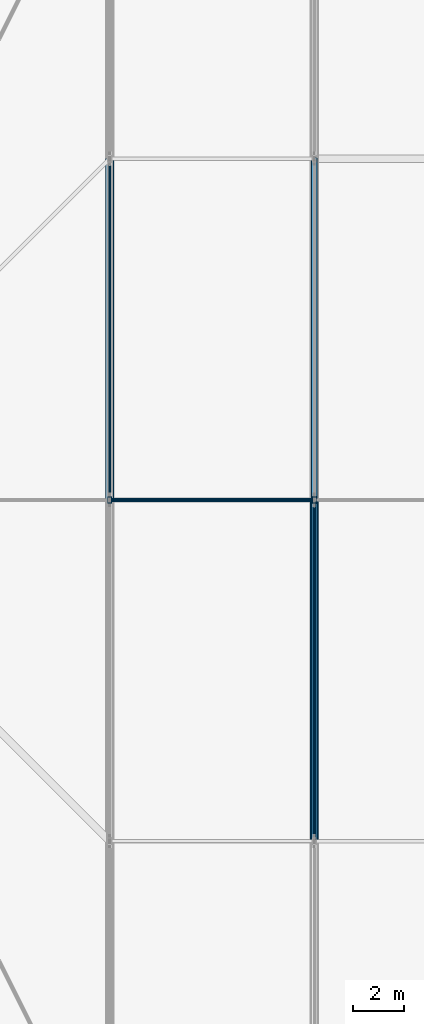
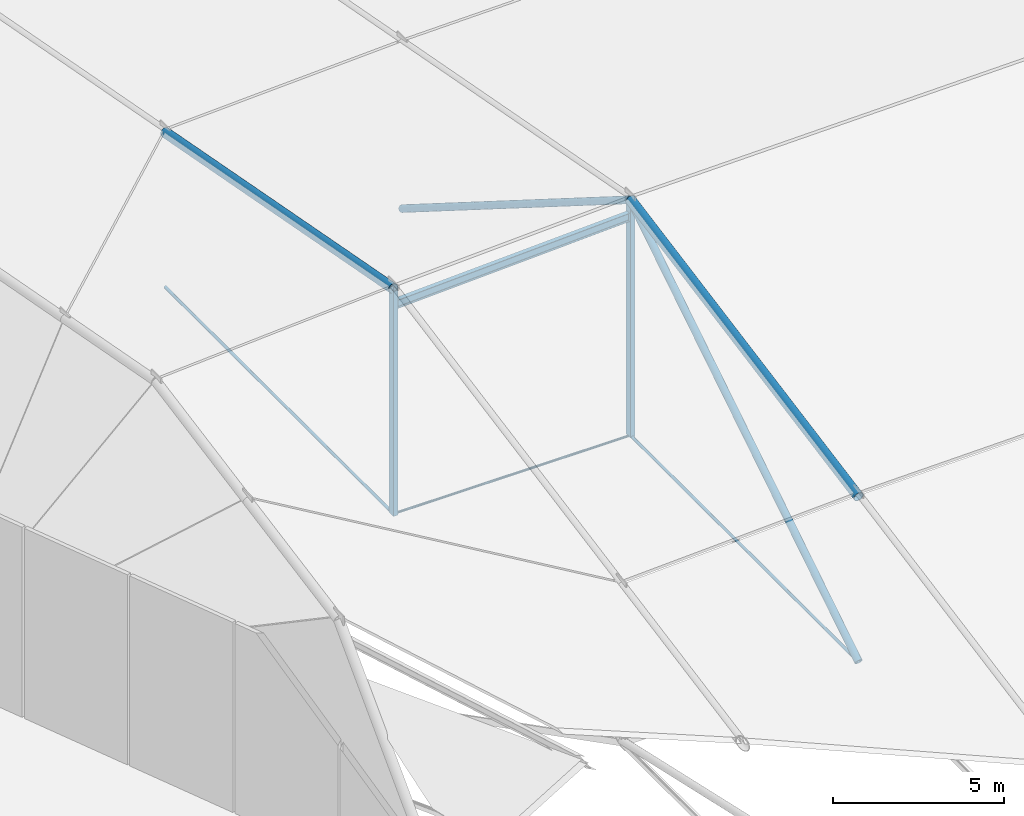
# One storey, part 7 of 30: 10 members.
"""IFC4 building model written with IfcOpenShell, lengths in metres."""

from ifc_helpers import new_model, si_unit, direction, frame, origin, origin_2d, place, context, subcontext, project, spatial, hollow_rectangle, circle, hollow_circle, i_section, extrude, material, material_profile, profile_set, type_object, element, save


model = new_model("IFC4")

# Units and contexts
model_context = context("Model", 3, precision=1e-05, world=origin(), true_north=direction((0.0, 1.0)))
body_context = subcontext(model_context, "Body", "Model", "MODEL_VIEW")
ifc_project = project(units=[si_unit("LENGTHUNIT", "METRE"), si_unit("AREAUNIT", "SQUARE_METRE"), si_unit("VOLUMEUNIT", "CUBIC_METRE"), si_unit("PLANEANGLEUNIT", "RADIAN"), si_unit("MASSUNIT", "GRAM", prefix="KILO")], contexts=[model_context])

# Site, building, storey
site_placement = place(None, origin())
site = spatial("IfcSite", under=ifc_project, at=site_placement, CompositionType="ELEMENT")
building_placement = place(site_placement, origin())
building = spatial("IfcBuilding", under=site, at=building_placement, Name="Tazarka Park Arena", CompositionType="ELEMENT")
storey_placement = place(building_placement, frame((0.0, 0.0, 29.39990234375)))
storey = spatial("IfcBuildingStorey", under=building, at=storey_placement, Name="Roof", CompositionType="ELEMENT", Elevation=29.39990234375)

# Members
ifc_material_1 = material(Name="Steel S355", Category="steel")
ifc_material_profile_1 = material_profile(ifc_material_1, hollow_circle(Radius=0.122314453125, WallThickness=0.012451171875, at=origin_2d()), Name="Steel S355")
ifc_profile_set_1 = profile_set([ifc_material_profile_1], Name="Steel S355")
member_type_1 = type_object("IfcMemberType", Name="MEM-BR-05", PredefinedType="BRACE", material=ifc_profile_set_1)
for number, where, z_axis, x_axis, name in (
    (1, (72.0, 50.666748046875, -0.0498046875), (0.0, 0.846043935239, 0.533113177144), (-1.0, 0.0, 0.0), "CBD-03-2"),
    (2, (72.0, 64.0, 8.351806640625), (0.0, 0.846043935239, -0.533113177144), (-1.0, 0.0, 0.0), "CBD-03-3"),
):
    element("IfcMember", number, at=place(storey_placement, frame(where, z_axis=z_axis, x_axis=x_axis)), inside=storey, type_object=member_type_1, Name=name, PredefinedType="BRACE", context=body_context, shape_type="SweptSolid", body=[
        extrude(hollow_circle(Radius=0.122314453125, WallThickness=0.012451171875, at=origin_2d()), origin(), (0.0, 0.0, 1.0), 15.759521484375),
    ])
ifc_material_2 = material(Name="Locked-coil steel cable S1570", Category="steel")
ifc_material_profile_2 = material_profile(ifc_material_2, circle(Radius=0.0400390625, at=origin_2d()), Name="Locked-coil steel cable S1570")
ifc_profile_set_2 = profile_set([ifc_material_profile_2], Name="Locked-coil steel cable S1570")
member_type_2 = type_object("IfcMemberType", Name="MEM-CBL-01", PredefinedType="USERDEFINED", material=ifc_profile_set_2)
member_1_placement = place(storey_placement, frame((64.0, 64.0, -0.0498046875), z_axis=(1.0, 0.0, 0.0), x_axis=(0.0, 1.0, 0.0)))
element("IfcMember", 3, at=member_1_placement, inside=storey, type_object=member_type_2, Name="CABLE TRANSVERSE 3-3", ObjectType="CABLE", PredefinedType="USERDEFINED", context=body_context, shape_type="SweptSolid", body=[
    extrude(circle(Radius=0.0400390625, at=origin_2d()), origin(), (0.0, 0.0, 1.0), 8.0),
])
ifc_material_3 = material(Name="Locked-coil steel cable S1570", Category="steel")
ifc_material_profile_3 = material_profile(ifc_material_3, circle(Radius=0.050048828125, at=origin_2d()), Name="Locked-coil steel cable S1570")
ifc_profile_set_3 = profile_set([ifc_material_profile_3], Name="Locked-coil steel cable S1570")
member_type_3 = type_object("IfcMemberType", Name="MEM-CBL-02", PredefinedType="USERDEFINED", material=ifc_profile_set_3)
for number, where, z_axis, x_axis, name in (
    (4, (64.0, 64.0, -0.0498046875), (0.0, 1.0, 0.0), (-1.0, 0.0, 0.0), "CABLE CBL-02-3-4"),
    (5, (72.0, 50.666748046875, -0.0498046875), (0.0, 1.0, 0.0), (-1.0, 0.0, 0.0), "CABLE CBL-02-4-3"),
):
    element("IfcMember", number, at=place(storey_placement, frame(where, z_axis=z_axis, x_axis=x_axis)), inside=storey, type_object=member_type_3, Name=name, ObjectType="CABLE", PredefinedType="USERDEFINED", context=body_context, shape_type="SweptSolid", body=[
        extrude(circle(Radius=0.050048828125, at=origin_2d()), origin(), (0.0, 0.0, 1.0), 13.333251953125),
    ])
ifc_material_4 = material(Name="Steel S460", Category="steel")
ifc_material_profile_4 = material_profile(ifc_material_4, hollow_circle(Radius=0.161865234375, WallThickness=0.01611328125, at=origin_2d()), Name="Steel S460")
ifc_profile_set_4 = profile_set([ifc_material_profile_4], Name="Steel S460")
member_type_4 = type_object("IfcMemberType", Name="MEM-CH-03", PredefinedType="CHORD", material=ifc_profile_set_4)
for number, where, z_axis, x_axis, name in (
    (6, (64.0, 64.0, 7.97900390625), (0.0, 0.982682430789, -0.185297706998), (-1.0, 0.0, 0.0), "CABLE ARCH CHORD 3-4"),
    (7, (72.0, 50.666748046875, 5.837646484375), (0.0, 0.982682430789, 0.185297706998), (-1.0, 0.0, 0.0), "CABLE ARCH CHORD 4-3"),
):
    element("IfcMember", number, at=place(storey_placement, frame(where, z_axis=z_axis, x_axis=x_axis)), inside=storey, type_object=member_type_4, Name=name, PredefinedType="CHORD", context=body_context, shape_type="SweptSolid", body=[
        extrude(hollow_circle(Radius=0.161865234375, WallThickness=0.01611328125, at=origin_2d()), origin(), (0.0, 0.0, 1.0), 13.568115234375),
    ])
ifc_material_5 = material(Name="Steel S355", Category="steel")
ifc_material_profile_5 = material_profile(ifc_material_5, i_section(OverallWidth=0.14990234375, OverallDepth=0.300048828125, WebThickness=0.007080078125, FlangeThickness=0.0107421875, FilletRadius=0.014892578125, at=origin_2d()), Name="Steel S355")
ifc_profile_set_5 = profile_set([ifc_material_profile_5], Name="Steel S355")
member_type_5 = type_object("IfcMemberType", Name="MEM-PR-02", PredefinedType="PURLIN", material=ifc_profile_set_5)
member_2_placement = place(storey_placement, frame((64.0, 64.0, 7.419189453125), z_axis=(0.998915969307, 0.0, 0.046549825596), x_axis=(0.0, 1.0, 0.0)))
element("IfcMember", 8, at=member_2_placement, inside=storey, type_object=member_type_5, Name="RPM-02-03", PredefinedType="PURLIN", context=body_context, shape_type="SweptSolid", body=[
    extrude(i_section(OverallWidth=0.14990234375, OverallDepth=0.300048828125, WebThickness=0.007080078125, FlangeThickness=0.0107421875, FilletRadius=0.014892578125, at=origin_2d()), origin(), (0.0, 0.0, 1.0), 8.0087890625),
])
ifc_material_6 = material(Name="Steel S355", Category="steel")
ifc_material_profile_6 = material_profile(ifc_material_6, hollow_rectangle(XDim=0.14990234375, YDim=0.25, WallThickness=0.010009765625, at=origin_2d()), Name="Steel S355")
ifc_profile_set_6 = profile_set([ifc_material_profile_6], Name="Steel S355")
member_type_6 = type_object("IfcMemberType", Name="MEM-PT-02", PredefinedType="POST", material=ifc_profile_set_6)
member_3_placement = place(storey_placement, frame((64.0, 64.0, -0.0498046875), z_axis=(0.0, 0.0, 1.0), x_axis=(1.0, 0.0, 0.0)))
element("IfcMember", 9, at=member_3_placement, inside=storey, type_object=member_type_6, Name="CBH-02-3", PredefinedType="POST", context=body_context, shape_type="SweptSolid", body=[
    extrude(hollow_rectangle(XDim=0.14990234375, YDim=0.25, WallThickness=0.010009765625, at=origin_2d()), origin(), (0.0, 0.0, 1.0), 8.02880859375),
])
member_4_placement = place(storey_placement, frame((72.0, 64.0, -0.0498046875), z_axis=(0.0, 0.0, 1.0), x_axis=(1.0, 0.0, 0.0)))
element("IfcMember", 10, at=member_4_placement, inside=storey, type_object=member_type_6, Name="CBH-03-3", PredefinedType="POST", context=body_context, shape_type="SweptSolid", body=[
    extrude(hollow_rectangle(XDim=0.14990234375, YDim=0.25, WallThickness=0.010009765625, at=origin_2d()), origin(), (0.0, 0.0, 1.0), 8.401611328125),
])

save(model, "model.ifc")
